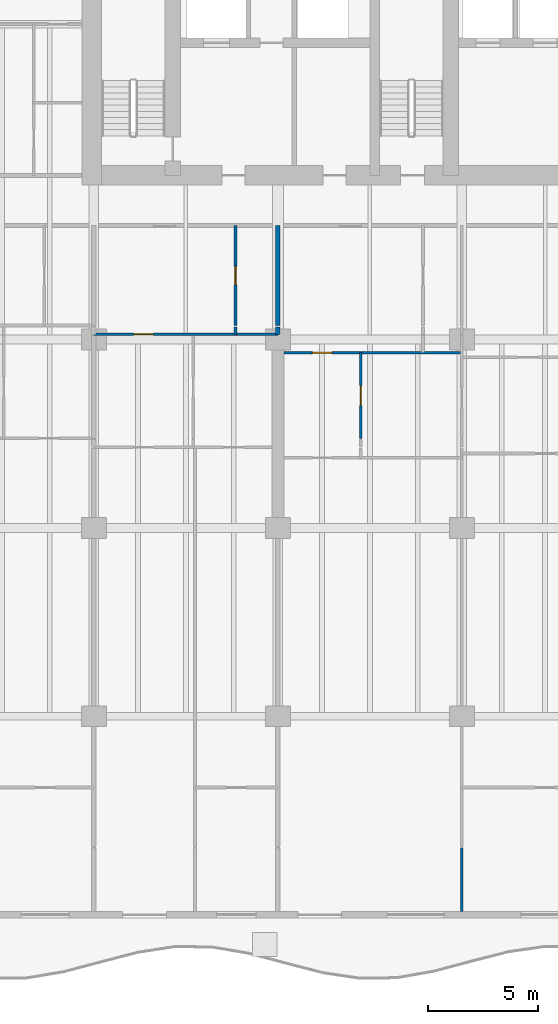
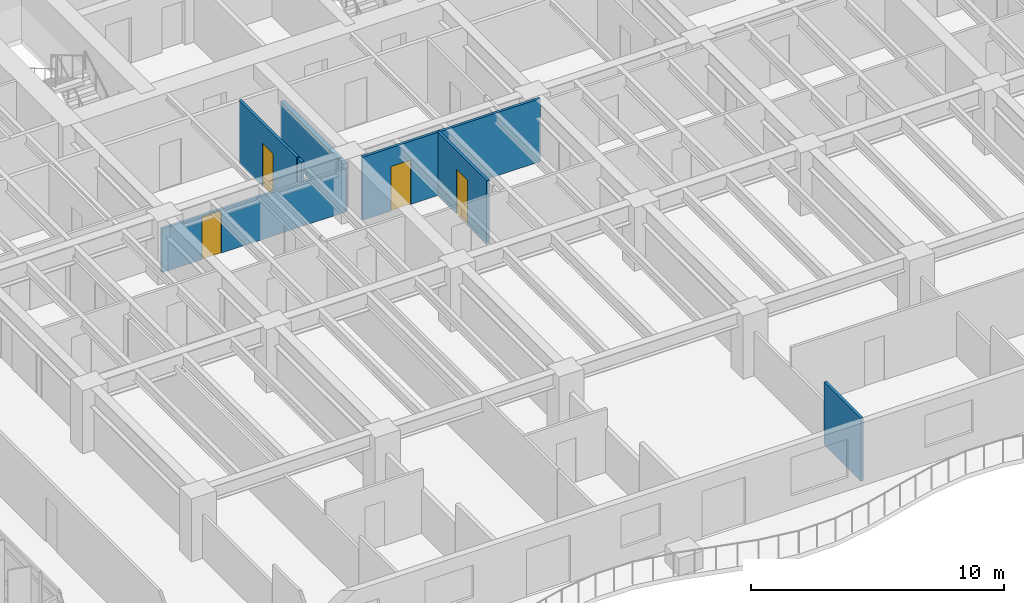
# One storey, part 7 of 17: 8 walls, 4 doors, 4 openings.
"""IFC4 building model written with IfcOpenShell, lengths in metres."""

from ifc_helpers import new_model, si_unit, direction, frame, frame_2d, origin, place, context, subcontext, project, spatial, rectangle, extrude, material, layer, layer_set, type_object, element, fill, save


model = new_model("IFC4")

# Units and contexts
model_context = context("Model", 3, precision=1e-05, world=origin(), true_north=direction((0.0, 1.0)))
body_context = subcontext(model_context, "Body", "Model", "MODEL_VIEW")
ifc_project = project(units=[si_unit("LENGTHUNIT", "METRE"), si_unit("AREAUNIT", "SQUARE_METRE"), si_unit("VOLUMEUNIT", "CUBIC_METRE"), si_unit("PLANEANGLEUNIT", "RADIAN"), si_unit("MASSUNIT", "GRAM", prefix="KILO")], contexts=[model_context])

# Site, building, storey
site_placement = place(None, origin())
site = spatial("IfcSite", under=ifc_project, at=site_placement, CompositionType="ELEMENT")
building_placement = place(site_placement, origin())
building = spatial("IfcBuilding", under=site, at=building_placement, Name="Caelmar Bay Residences", CompositionType="ELEMENT")
storey_placement = place(building_placement, frame((0.0, 0.0, 53.10009765625)))
storey = spatial("IfcBuildingStorey", under=building, at=storey_placement, Name="L13", CompositionType="ELEMENT", Elevation=53.10009765625)

# Wall
ifc_material_1 = material(Name="Acoustic metal-stud gypsum partition 120 mm")
ifc_layer_1 = layer(ifc_material_1, 0.1201171875)
ifc_layer_set_1 = layer_set([ifc_layer_1], Name="Acoustic metal-stud gypsum partition 120 mm")
wall_type_1 = type_object("IfcWallType", Name="W-PRT-120", PredefinedType="PARTITIONING", material=ifc_layer_set_1)
wall_1_placement = place(storey_placement, frame((24.764892578125, 29.639892578125, 0.0), z_axis=(0.0, 0.0, 1.0), x_axis=(0.0, 1.0, 0.0)))
element("IfcWall", 1, at=wall_1_placement, inside=storey, type_object=wall_type_1, Name="L13 Partition Wall V033", PredefinedType="PARTITIONING", context=body_context, shape_type="SweptSolid", body=[
    extrude(rectangle(XDim=0.340087890625, YDim=0.1201171875, at=frame_2d((0.169921875, 0.0))), origin(), (0.0, 0.0, 1.0), 3.0498046875),
])

# Wall, opening, door
wall_2_placement = place(storey_placement, frame((24.764892578125, 30.0400390625, 0.0), z_axis=(0.0, 0.0, 1.0), x_axis=(0.0, 1.0, 0.0)))
wall_2 = element("IfcWall", 2, at=wall_2_placement, inside=storey, type_object=wall_type_1, Name="L13 Partition Wall V034", PredefinedType="PARTITIONING", context=body_context, shape_type="SweptSolid", body=[
    extrude(rectangle(XDim=4.56005859375, YDim=0.1201171875, at=frame_2d((2.280029296875, 0.0))), origin(), (0.0, 0.0, 1.0), 3.0498046875),
])
opening_1_placement = place(wall_2_placement, frame((1.85498046875, 0.0, 0.0)))
opening_1 = element("IfcOpeningElement", 3, at=opening_1_placement, cuts=wall_2, Name="Opening D-L13-128", PredefinedType="OPENING", context=body_context, shape_type="SweptSolid", body=[
    extrude(rectangle(XDim=0.85009765625, YDim=2.10009765625, at=frame_2d((0.425048828125, 1.050048828125))), frame((0.0, 0.070068359375, 0.0), z_axis=(0.0, -1.0, 0.0), x_axis=(1.0, 0.0, 0.0)), (0.0, 0.0, 1.0), 0.14013671875),
])
ifc_material_2 = material(Name="Solid walnut timber interior door leaf and frame", Category="wood")
ifc_layer_2 = layer(ifc_material_2, 0.050048828125)
ifc_layer_set_2 = layer_set([ifc_layer_2], Name="Solid walnut timber interior door leaf and frame")
door_type_1 = type_object("IfcDoorType", Name="D-BATH-850", OperationType="NOTDEFINED", PredefinedType="DOOR", material=ifc_layer_set_2)
door_1_placement = place(opening_1_placement, origin())
door_1 = element("IfcDoor", 4, at=door_1_placement, inside=storey, type_object=door_type_1, Name="L13 Residence 02 Bathroom Door", OperationType="SINGLE_SWING_LEFT", OverallHeight=2.10009765625, OverallWidth=0.85009765625, PredefinedType="DOOR", context=body_context, shape_type="SweptSolid", body=[
    extrude(rectangle(XDim=0.85009765625, YDim=2.10009765625, at=frame_2d((0.425048828125, 1.050048828125))), frame((0.0, 0.02490234375, 0.0), z_axis=(0.0, -1.0, 0.0), x_axis=(1.0, 0.0, 0.0)), (0.0, 0.0, 1.0), 0.050048828125),
])
fill(opening_1, door_1)

wall_3_placement = place(storey_placement, frame((30.47998046875, 24.889892578125, 0.0), z_axis=(0.0, 0.0, 1.0), x_axis=(0.0, 1.0, 0.0)))
wall_3 = element("IfcWall", 5, at=wall_3_placement, inside=storey, type_object=wall_type_1, Name="L13 Partition Wall V044", PredefinedType="PARTITIONING", context=body_context, shape_type="SweptSolid", body=[
    extrude(rectangle(XDim=3.91015625, YDim=0.1201171875, at=frame_2d((1.955078125, 0.0))), origin(), (0.0, 0.0, 1.0), 3.0498046875),
])
opening_2_placement = place(wall_3_placement, frame((1.5048828125, 0.0, 0.0)))
opening_2 = element("IfcOpeningElement", 6, at=opening_2_placement, cuts=wall_3, Name="Opening D-L13-137", PredefinedType="OPENING", context=body_context, shape_type="SweptSolid", body=[
    extrude(rectangle(XDim=0.89990234375, YDim=2.14990234375, at=frame_2d((0.449951171875, 1.074951171875))), frame((0.0, 0.070068359375, 0.0), z_axis=(0.0, -1.0, 0.0), x_axis=(1.0, 0.0, 0.0)), (0.0, 0.0, 1.0), 0.14013671875),
])
ifc_layer_3 = layer(ifc_material_2, 0.050048828125)
ifc_layer_set_3 = layer_set([ifc_layer_3], Name="Solid walnut timber interior door leaf and frame")
door_type_2 = type_object("IfcDoorType", Name="D-ROOM-900", OperationType="NOTDEFINED", PredefinedType="DOOR", material=ifc_layer_set_3)
door_2_placement = place(opening_2_placement, origin())
door_2 = element("IfcDoor", 7, at=door_2_placement, inside=storey, type_object=door_type_2, Name="L13 Residence 03 Kitchen Door", OperationType="SINGLE_SWING_RIGHT", OverallHeight=2.14990234375, OverallWidth=0.89990234375, PredefinedType="DOOR", context=body_context, shape_type="SweptSolid", body=[
    extrude(rectangle(XDim=0.89990234375, YDim=2.14990234375, at=frame_2d((0.449951171875, 1.074951171875))), frame((0.0, 0.02490234375, 0.0), z_axis=(0.0, -1.0, 0.0), x_axis=(1.0, 0.0, 0.0)), (0.0, 0.0, 1.0), 0.050048828125),
])
fill(opening_2, door_2)

# Wall
wall_4_placement = place(storey_placement, frame((35.10009765625, 3.294921875, 0.0), z_axis=(0.0, 0.0, 1.0), x_axis=(0.0, 1.0, 0.0)))
element("IfcWall", 8, at=wall_4_placement, inside=storey, type_object=wall_type_1, Name="L13 Partition Wall V048", PredefinedType="PARTITIONING", context=body_context, shape_type="SweptSolid", body=[
    extrude(rectangle(XDim=2.905029296875, YDim=0.1201171875, at=frame_2d((1.45263671875, 0.0))), origin(), (0.0, 0.0, 1.0), 3.0498046875),
])

# Wall, opening, door
wall_5_placement = place(storey_placement, frame((26.969970703125, 28.800048828125, 0.0), z_axis=(0.0, 0.0, 1.0), x_axis=(1.0, 0.0, 0.0)))
wall_5 = element("IfcWall", 9, at=wall_5_placement, inside=storey, type_object=wall_type_1, Name="L13 Partition Wall H126", PredefinedType="PARTITIONING", context=body_context, shape_type="SweptSolid", body=[
    extrude(rectangle(XDim=8.125, YDim=0.1201171875, at=frame_2d((4.0625, 0.0))), origin(), (0.0, 0.0, 1.0), 3.0498046875),
])
opening_3_placement = place(wall_5_placement, frame((1.304931640625, 0.0, 0.0)))
opening_3 = element("IfcOpeningElement", 10, at=opening_3_placement, cuts=wall_5, Name="Opening D-L13-136", PredefinedType="OPENING", context=body_context, shape_type="SweptSolid", body=[
    extrude(rectangle(XDim=0.89990234375, YDim=2.14990234375, at=frame_2d((0.449951171875, 1.074951171875))), frame((0.0, 0.070068359375, 0.0), z_axis=(0.0, -1.0, 0.0), x_axis=(1.0, 0.0, 0.0)), (0.0, 0.0, 1.0), 0.14013671875),
])
door_3_placement = place(opening_3_placement, origin())
door_3 = element("IfcDoor", 11, at=door_3_placement, inside=storey, type_object=door_type_2, Name="L13 Residence 03 Dining Room Door", OperationType="SINGLE_SWING_LEFT", OverallHeight=2.14990234375, OverallWidth=0.89990234375, PredefinedType="DOOR", context=body_context, shape_type="SweptSolid", body=[
    extrude(rectangle(XDim=0.89990234375, YDim=2.14990234375, at=frame_2d((0.449951171875, 1.074951171875))), frame((0.0, 0.02490234375, 0.0), z_axis=(0.0, -1.0, 0.0), x_axis=(1.0, 0.0, 0.0)), (0.0, 0.0, 1.0), 0.050048828125),
])
fill(opening_3, door_3)

wall_6_placement = place(storey_placement, frame((18.300048828125, 29.639892578125, 0.0), z_axis=(0.0, 0.0, 1.0), x_axis=(1.0, 0.0, 0.0)))
wall_6 = element("IfcWall", 12, at=wall_6_placement, inside=storey, type_object=wall_type_1, Name="L13 Partition Wall H129", PredefinedType="PARTITIONING", context=body_context, shape_type="SweptSolid", body=[
    extrude(rectangle(XDim=8.39990234375, YDim=0.1201171875, at=frame_2d((4.199951171875, 0.0))), origin(), (0.0, 0.0, 1.0), 2.10986328125),
])
opening_4_placement = place(wall_6_placement, frame((1.818115234375, 0.0, 0.0)))
opening_4 = element("IfcOpeningElement", 13, at=opening_4_placement, cuts=wall_6, Name="Opening D-L13-129", PredefinedType="OPENING", context=body_context, shape_type="SweptSolid", body=[
    extrude(rectangle(XDim=0.89990234375, YDim=2.06005859375, at=frame_2d((0.449951171875, 1.030029296875))), frame((0.0, 0.070068359375, 0.0), z_axis=(0.0, -1.0, 0.0), x_axis=(1.0, 0.0, 0.0)), (0.0, 0.0, 1.0), 0.14013671875),
])
door_4_placement = place(opening_4_placement, origin())
door_4 = element("IfcDoor", 14, at=door_4_placement, inside=storey, type_object=door_type_2, Name="L13 Residence 02 Kitchen Door", OperationType="SINGLE_SWING_RIGHT", OverallHeight=2.06005859375, OverallWidth=0.89990234375, PredefinedType="DOOR", context=body_context, shape_type="SweptSolid", body=[
    extrude(rectangle(XDim=0.89990234375, YDim=2.06005859375, at=frame_2d((0.449951171875, 1.030029296875))), frame((0.0, 0.02490234375, 0.0), z_axis=(0.0, -1.0, 0.0), x_axis=(1.0, 0.0, 0.0)), (0.0, 0.0, 1.0), 0.050048828125),
])
fill(opening_4, door_4)

# Walls
ifc_material_3 = material(Name="Acoustic twin-stud fire-rated inter-tenancy partition 200 mm")
ifc_layer_4 = layer(ifc_material_3, 0.199951171875)
ifc_layer_set_4 = layer_set([ifc_layer_4], Name="Acoustic twin-stud fire-rated inter-tenancy partition 200 mm")
wall_type_2 = type_object("IfcWallType", Name="W-PTY-200", PredefinedType="PARTITIONING", material=ifc_layer_set_4)
wall_7_placement = place(storey_placement, frame((26.699951171875, 29.639892578125, 0.0), z_axis=(0.0, 0.0, 1.0), x_axis=(0.0, 1.0, 0.0)))
element("IfcWall", 15, at=wall_7_placement, inside=storey, type_object=wall_type_2, Name="L13 Partition Wall V038", PredefinedType="PARTITIONING", context=body_context, shape_type="SweptSolid", body=[
    extrude(rectangle(XDim=0.340087890625, YDim=0.199951171875, at=frame_2d((0.169921875, 0.0))), origin(), (0.0, 0.0, 1.0), 2.3349609375),
])
wall_8_placement = place(storey_placement, frame((26.699951171875, 30.0400390625, 0.0), z_axis=(0.0, 0.0, 1.0), x_axis=(0.0, 1.0, 0.0)))
element("IfcWall", 16, at=wall_8_placement, inside=storey, type_object=wall_type_2, Name="L13 Partition Wall V039", PredefinedType="PARTITIONING", context=body_context, shape_type="SweptSolid", body=[
    extrude(rectangle(XDim=4.56005859375, YDim=0.199951171875, at=frame_2d((2.280029296875, 0.0))), origin(), (0.0, 0.0, 1.0), 2.3349609375),
])

save(model, "model.ifc")
